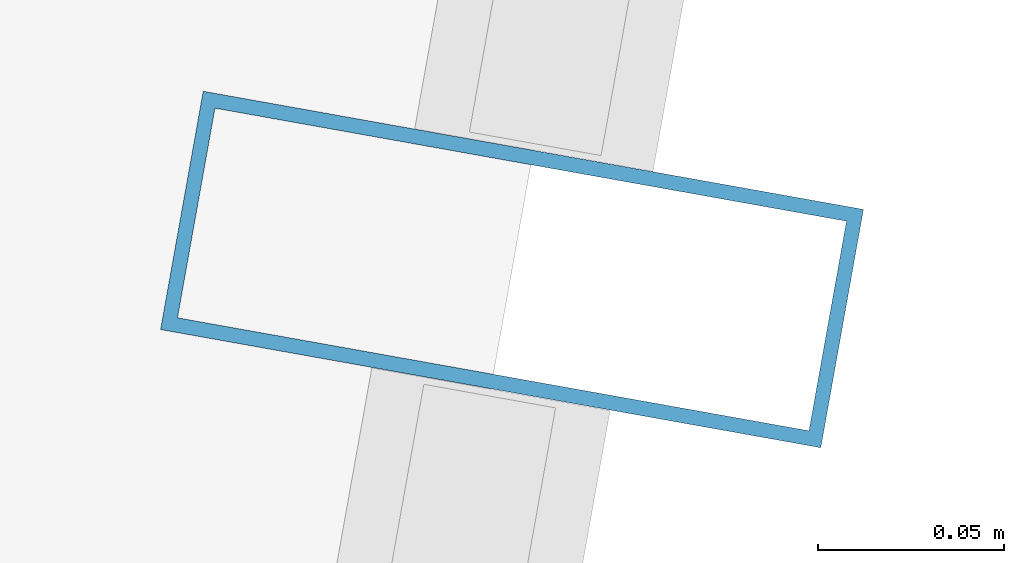
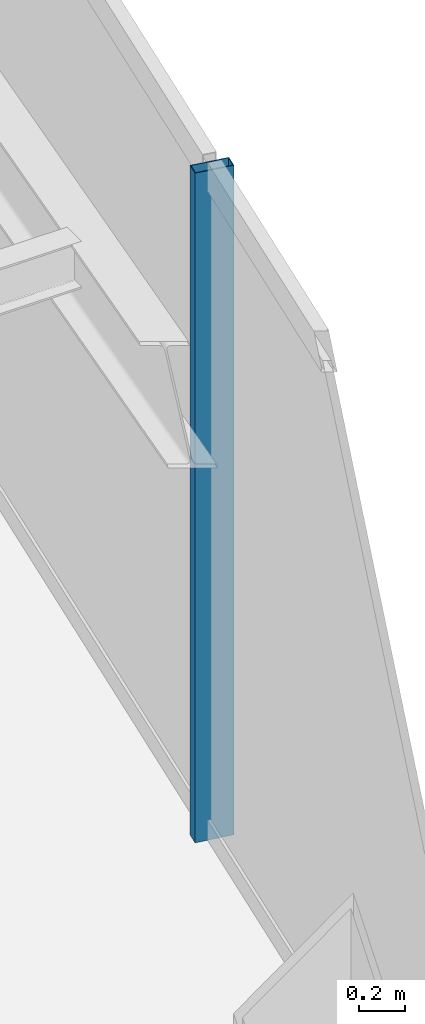
# One storey, part 17 of 32: 1 member, 1 element without a shape of its own.
"""IFC4 building model written with IfcOpenShell, lengths in metres."""

from ifc_helpers import new_model, si_unit, direction, frame, origin, origin_2d, place, context, subcontext, project, spatial, hollow_rectangle, extrude, material, material_profile, profile_set, type_object, element, aggregate, save


model = new_model("IFC4")

# Units and contexts
model_context = context("Model", 3, precision=1e-05, world=origin(), true_north=direction((0.0, 1.0)))
body_context = subcontext(model_context, "Body", "Model", "MODEL_VIEW")
ifc_project = project(units=[si_unit("LENGTHUNIT", "METRE"), si_unit("AREAUNIT", "SQUARE_METRE"), si_unit("VOLUMEUNIT", "CUBIC_METRE"), si_unit("PLANEANGLEUNIT", "RADIAN"), si_unit("MASSUNIT", "GRAM", prefix="KILO")], contexts=[model_context])

# Site, building, storey
site_placement = place(None, origin())
site = spatial("IfcSite", under=ifc_project, at=site_placement, CompositionType="ELEMENT")
building_placement = place(site_placement, origin())
building = spatial("IfcBuilding", under=site, at=building_placement, Name="Saevonmaru Cultural Tower", CompositionType="ELEMENT")
storey_placement = place(building_placement, frame((0.0, 0.0, 261.0)))
storey = spatial("IfcBuildingStorey", under=building, at=storey_placement, Name="L61", CompositionType="ELEMENT", Elevation=261.0)

# Curtain wall, member
ifc_material = material(Name="Satin Bronze Anodised Aluminium", Category="aluminium")
curtain_wall_type = type_object("IfcCurtainWallType", Name="CW-TYP-B", PredefinedType="NOTDEFINED", material=ifc_material)
curtain_wall_placement = place(storey_placement, origin())
curtain_wall = element("IfcCurtainWall", 1, at=curtain_wall_placement, inside=storey, type_object=curtain_wall_type, Name="L61 Unitised Curtain Wall E8", PredefinedType="NOTDEFINED")
ifc_material_profile = material_profile(ifc_material, hollow_rectangle(XDim=0.06494140625, YDim=0.179931640625, WallThickness=0.00390625, at=origin_2d()), Name="ALU-MULL-180x65x4")
ifc_profile_set = profile_set([ifc_material_profile], Name="Satin Bronze Anodised Aluminium")
member_type = type_object("IfcMemberType", Name="ML-CW-180x65", PredefinedType="MULLION", material=ifc_profile_set)
member_placement = place(storey_placement, frame((52.806396484375, 34.953125, 0.0), z_axis=(0.0, 0.0, 1.0), x_axis=(0.176140740755, 0.984364993001, 0.0)))
member = element("IfcMember", 2, at=member_placement, type_object=member_type, Name="CW-TW-L61-E8 mullion 2", PredefinedType="MULLION", context=body_context, shape_type="SweptSolid", body=[
    extrude(hollow_rectangle(XDim=0.06494140625, YDim=0.179931640625, WallThickness=0.00390625, at=origin_2d()), origin(), (0.0, 0.0, 1.0), 3.550048828125),
])
aggregate(curtain_wall, [member])

save(model, "model.ifc")
